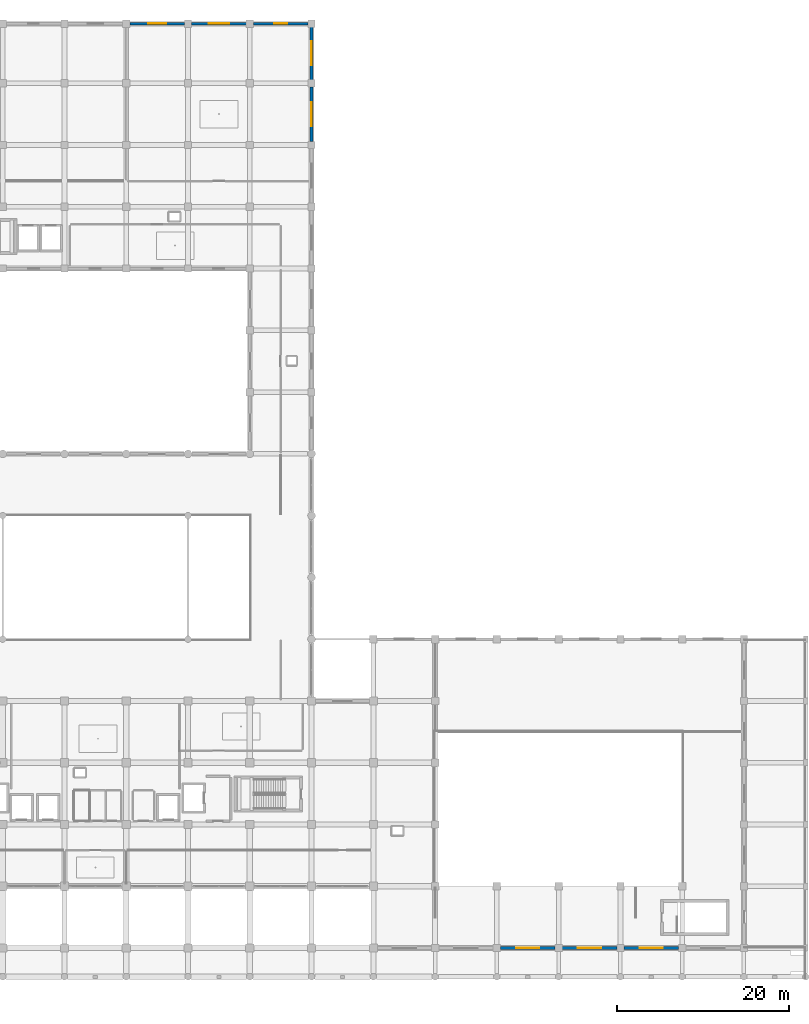
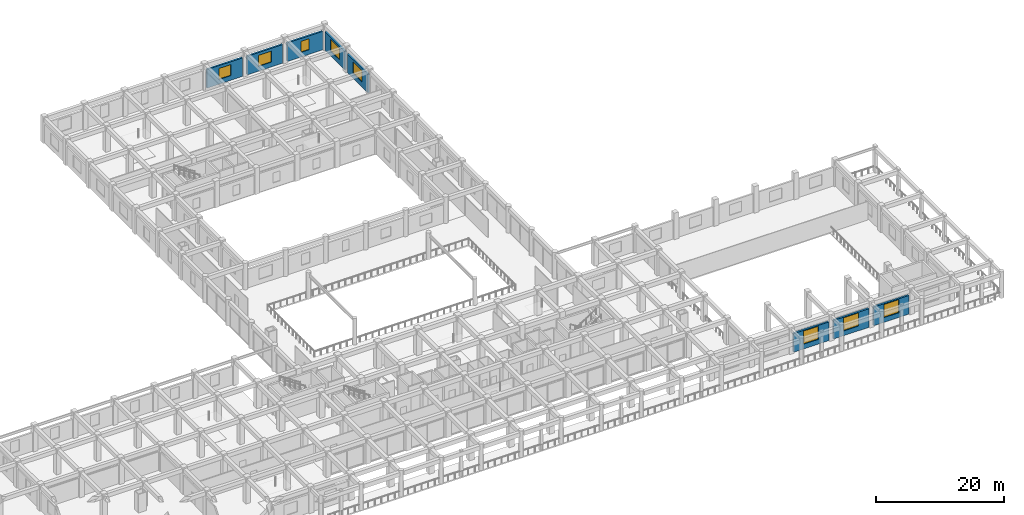
# One storey, part 35 of 54: 8 walls, 8 windows, 8 openings.
"""IFC4 building model written with IfcOpenShell, lengths in metres."""

from ifc_helpers import new_model, si_unit, direction, frame, frame_2d, origin, place, context, subcontext, project, spatial, rectangle, extrude, material, layer, layer_set, type_object, element, fill, save


model = new_model("IFC4")

# Units and contexts
model_context = context("Model", 3, precision=1e-05, world=origin(), true_north=direction((0.0, 1.0)))
body_context = subcontext(model_context, "Body", "Model", "MODEL_VIEW")
ifc_project = project(units=[si_unit("LENGTHUNIT", "METRE"), si_unit("AREAUNIT", "SQUARE_METRE"), si_unit("VOLUMEUNIT", "CUBIC_METRE"), si_unit("PLANEANGLEUNIT", "RADIAN"), si_unit("MASSUNIT", "GRAM", prefix="KILO")], contexts=[model_context])

# Site, building, storey
site_placement = place(None, origin())
site = spatial("IfcSite", under=ifc_project, at=site_placement, CompositionType="ELEMENT")
building_placement = place(site_placement, origin())
building = spatial("IfcBuilding", under=site, at=building_placement, Name="Kazehaya Institute of Natural Sciences", CompositionType="ELEMENT")
storey_placement = place(building_placement, frame((0.0, 0.0, 5.39990234375)))
storey = spatial("IfcBuildingStorey", under=building, at=storey_placement, Name="L01", CompositionType="ELEMENT", Elevation=5.39990234375)

# Wall, opening, window
ifc_material_1 = material(Name="Precast concrete Fc36", Category="concrete")
ifc_layer_1 = layer(ifc_material_1, 0.320068359375, Name="Precast concrete Fc36", Category="concrete")
ifc_layer_set_1 = layer_set([ifc_layer_1], Name="Precast concrete Fc36")
wall_type_1 = type_object("IfcWallType", Name="WL-EXT-320", PredefinedType="SOLIDWALL", material=ifc_layer_set_1)
wall_1_placement = place(storey_placement, frame((112.199951171875, 107.18994140625, 0.0), z_axis=(0.0, 0.0, 1.0), x_axis=(0.0, -1.0, 0.0)))
wall_1 = element("IfcWall", 1, at=wall_1_placement, inside=storey, type_object=wall_type_1, Name="L01 exterior wall EW-L01-0178", PredefinedType="SOLIDWALL", context=body_context, shape_type="SweptSolid", body=[
    extrude(rectangle(XDim=6.3798828125, YDim=0.320068359375, at=frame_2d((3.18994140625, 0.0))), origin(), (0.0, 0.0, 1.0), 3.5400390625),
])
opening_1_placement = place(wall_1_placement, frame((1.7900390625, 0.0, 0.89990234375)))
opening_1 = element("IfcOpeningElement", 2, at=opening_1_placement, cuts=wall_1, Name="Opening W25", PredefinedType="OPENING", context=body_context, shape_type="SweptSolid", body=[
    extrude(rectangle(XDim=2.800048828125, YDim=2.199951171875, at=frame_2d((1.39990234375, 1.10009765625))), frame((0.0, 0.169921875, 0.0), z_axis=(0.0, -1.0, 0.0), x_axis=(1.0, 0.0, 0.0)), (0.0, 0.0, 1.0), 0.340087890625),
])
ifc_material_2 = material(Name="Low-E double-glazed aluminium window", Category="aluminium")
window_type_1 = type_object("IfcWindowType", Name="WN-25", PartitioningType="DOUBLE_PANEL_VERTICAL", PredefinedType="WINDOW", material=ifc_material_2)
window_1_placement = place(opening_1_placement, origin())
window_1 = element("IfcWindow", 3, at=window_1_placement, inside=storey, type_object=window_type_1, Name="L01 facade window 0080", OverallHeight=2.199951171875, OverallWidth=2.800048828125, PartitioningType="DOUBLE_PANEL_VERTICAL", PredefinedType="WINDOW", context=body_context, shape_type="SweptSolid", body=[
    extrude(rectangle(XDim=2.800048828125, YDim=2.199951171875, at=frame_2d((1.39990234375, 1.10009765625))), frame((0.0, 0.030029296875, 0.0), z_axis=(0.0, -1.0, 0.0), x_axis=(1.0, 0.0, 0.0)), (0.0, 0.0, 1.0), 0.06005859375),
])
fill(opening_1, window_1)

wall_2_placement = place(storey_placement, frame((112.199951171875, 114.139892578125, 0.0), z_axis=(0.0, 0.0, 1.0), x_axis=(0.0, -1.0, 0.0)))
wall_2 = element("IfcWall", 4, at=wall_2_placement, inside=storey, type_object=wall_type_1, Name="L01 exterior wall EW-L01-0180", PredefinedType="SOLIDWALL", context=body_context, shape_type="SweptSolid", body=[
    extrude(rectangle(XDim=6.1298828125, YDim=0.320068359375, at=frame_2d((3.06494140625, 0.0))), origin(), (0.0, 0.0, 1.0), 3.5400390625),
])
opening_2_placement = place(wall_2_placement, frame((1.6650390625, 0.0, 0.89990234375)))
opening_2 = element("IfcOpeningElement", 5, at=opening_2_placement, cuts=wall_2, Name="Opening W25", PredefinedType="OPENING", context=body_context, shape_type="SweptSolid", body=[
    extrude(rectangle(XDim=2.800048828125, YDim=2.199951171875, at=frame_2d((1.39990234375, 1.10009765625))), frame((0.0, 0.169921875, 0.0), z_axis=(0.0, -1.0, 0.0), x_axis=(1.0, 0.0, 0.0)), (0.0, 0.0, 1.0), 0.340087890625),
])
window_2_placement = place(opening_2_placement, origin())
window_2 = element("IfcWindow", 6, at=window_2_placement, inside=storey, type_object=window_type_1, Name="L01 facade window 0082", OverallHeight=2.199951171875, OverallWidth=2.800048828125, PartitioningType="DOUBLE_PANEL_VERTICAL", PredefinedType="WINDOW", context=body_context, shape_type="SweptSolid", body=[
    extrude(rectangle(XDim=2.800048828125, YDim=2.199951171875, at=frame_2d((1.39990234375, 1.10009765625))), frame((0.0, 0.030029296875, 0.0), z_axis=(0.0, -1.0, 0.0), x_axis=(1.0, 0.0, 0.0)), (0.0, 0.0, 1.0), 0.06005859375),
])
fill(opening_2, window_2)

wall_3_placement = place(storey_placement, frame((91.010009765625, 114.550048828125, 0.0), z_axis=(0.0, 0.0, 1.0), x_axis=(1.0, 0.0, 0.0)))
wall_3 = element("IfcWall", 7, at=wall_3_placement, inside=storey, type_object=wall_type_1, Name="L01 exterior wall EW-L01-0185", PredefinedType="SOLIDWALL", context=body_context, shape_type="SweptSolid", body=[
    extrude(rectangle(XDim=6.3798828125, YDim=0.320068359375, at=frame_2d((3.18994140625, 0.0))), origin(), (0.0, 0.0, 1.0), 3.5400390625),
])
opening_3_placement = place(wall_3_placement, frame((2.139892578125, 0.0, 0.89990234375)))
opening_3 = element("IfcOpeningElement", 8, at=opening_3_placement, cuts=wall_3, Name="Opening W07", PredefinedType="OPENING", context=body_context, shape_type="SweptSolid", body=[
    extrude(rectangle(XDim=2.10009765625, YDim=2.10009765625, at=frame_2d((1.050048828125, 1.050048828125))), frame((0.0, 0.169921875, 0.0), z_axis=(0.0, -1.0, 0.0), x_axis=(1.0, 0.0, 0.0)), (0.0, 0.0, 1.0), 0.340087890625),
])
window_type_2 = type_object("IfcWindowType", Name="WN-07", PartitioningType="DOUBLE_PANEL_VERTICAL", PredefinedType="WINDOW", material=ifc_material_2)
window_3_placement = place(opening_3_placement, origin())
window_3 = element("IfcWindow", 9, at=window_3_placement, inside=storey, type_object=window_type_2, Name="L01 facade window 0087", OverallHeight=2.10009765625, OverallWidth=2.10009765625, PartitioningType="DOUBLE_PANEL_VERTICAL", PredefinedType="WINDOW", context=body_context, shape_type="SweptSolid", body=[
    extrude(rectangle(XDim=2.10009765625, YDim=2.10009765625, at=frame_2d((1.050048828125, 1.050048828125))), frame((0.0, 0.030029296875, 0.0), z_axis=(0.0, -1.0, 0.0), x_axis=(1.0, 0.0, 0.0)), (0.0, 0.0, 1.0), 0.06005859375),
])
fill(opening_3, window_3)

wall_4_placement = place(storey_placement, frame((98.2099609375, 114.550048828125, 0.0), z_axis=(0.0, 0.0, 1.0), x_axis=(1.0, 0.0, 0.0)))
wall_4 = element("IfcWall", 10, at=wall_4_placement, inside=storey, type_object=wall_type_1, Name="L01 exterior wall EW-L01-0186", PredefinedType="SOLIDWALL", context=body_context, shape_type="SweptSolid", body=[
    extrude(rectangle(XDim=6.380126953125, YDim=0.320068359375, at=frame_2d((3.18994140625, 0.0))), origin(), (0.0, 0.0, 1.0), 3.5400390625),
])
opening_4_placement = place(wall_4_placement, frame((1.989990234375, 0.0, 0.89990234375)))
opening_4 = element("IfcOpeningElement", 11, at=opening_4_placement, cuts=wall_4, Name="Opening W08", PredefinedType="OPENING", context=body_context, shape_type="SweptSolid", body=[
    extrude(rectangle(XDim=2.39990234375, YDim=2.10009765625, at=frame_2d((1.199951171875, 1.050048828125))), frame((0.0, 0.169921875, 0.0), z_axis=(0.0, -1.0, 0.0), x_axis=(1.0, 0.0, 0.0)), (0.0, 0.0, 1.0), 0.340087890625),
])
window_type_3 = type_object("IfcWindowType", Name="WN-08", PartitioningType="DOUBLE_PANEL_VERTICAL", PredefinedType="WINDOW", material=ifc_material_2)
window_4_placement = place(opening_4_placement, origin())
window_4 = element("IfcWindow", 12, at=window_4_placement, inside=storey, type_object=window_type_3, Name="L01 facade window 0088", OverallHeight=2.10009765625, OverallWidth=2.39990234375, PartitioningType="DOUBLE_PANEL_VERTICAL", PredefinedType="WINDOW", context=body_context, shape_type="SweptSolid", body=[
    extrude(rectangle(XDim=2.39990234375, YDim=2.10009765625, at=frame_2d((1.199951171875, 1.050048828125))), frame((0.0, 0.030029296875, 0.0), z_axis=(0.0, -1.0, 0.0), x_axis=(1.0, 0.0, 0.0)), (0.0, 0.0, 1.0), 0.06005859375),
])
fill(opening_4, window_4)

wall_5_placement = place(storey_placement, frame((105.409912109375, 114.550048828125, 0.0), z_axis=(0.0, 0.0, 1.0), x_axis=(1.0, 0.0, 0.0)))
wall_5 = element("IfcWall", 13, at=wall_5_placement, inside=storey, type_object=wall_type_1, Name="L01 exterior wall EW-L01-0187", PredefinedType="SOLIDWALL", context=body_context, shape_type="SweptSolid", body=[
    extrude(rectangle(XDim=6.380126953125, YDim=0.320068359375, at=frame_2d((3.18994140625, 0.0))), origin(), (0.0, 0.0, 1.0), 3.5400390625),
])
opening_5_placement = place(wall_5_placement, frame((2.43994140625, 0.0, 0.89990234375)))
opening_5 = element("IfcOpeningElement", 14, at=opening_5_placement, cuts=wall_5, Name="Opening W09", PredefinedType="OPENING", context=body_context, shape_type="SweptSolid", body=[
    extrude(rectangle(XDim=1.5, YDim=2.10009765625, at=frame_2d((0.75, 1.050048828125))), frame((0.0, 0.169921875, 0.0), z_axis=(0.0, -1.0, 0.0), x_axis=(1.0, 0.0, 0.0)), (0.0, 0.0, 1.0), 0.340087890625),
])
window_type_4 = type_object("IfcWindowType", Name="WN-09", PartitioningType="SINGLE_PANEL", PredefinedType="WINDOW", material=ifc_material_2)
window_5_placement = place(opening_5_placement, origin())
window_5 = element("IfcWindow", 15, at=window_5_placement, inside=storey, type_object=window_type_4, Name="L01 facade window 0089", OverallHeight=2.10009765625, OverallWidth=1.5, PartitioningType="SINGLE_PANEL", PredefinedType="WINDOW", context=body_context, shape_type="SweptSolid", body=[
    extrude(rectangle(XDim=1.5, YDim=2.10009765625, at=frame_2d((0.75, 1.050048828125))), frame((0.0, 0.030029296875, 0.0), z_axis=(0.0, -1.0, 0.0), x_axis=(1.0, 0.0, 0.0)), (0.0, 0.0, 1.0), 0.06005859375),
])
fill(opening_5, window_5)

ifc_layer_2 = layer(ifc_material_1, 0.340087890625, Name="Precast concrete Fc36", Category="concrete")
ifc_layer_set_2 = layer_set([ifc_layer_2], Name="Precast concrete Fc36")
wall_type_2 = type_object("IfcWallType", Name="WL-EXT-340", PredefinedType="SOLIDWALL", material=ifc_layer_set_2)
wall_6_placement = place(storey_placement, frame((154.989990234375, 6.800048828125, 0.0), z_axis=(0.0, 0.0, 1.0), x_axis=(-1.0, 0.0, 0.0)))
wall_6 = element("IfcWall", 16, at=wall_6_placement, inside=storey, type_object=wall_type_2, Name="L01 exterior wall EW-L01-0369", PredefinedType="SOLIDWALL", context=body_context, shape_type="SweptSolid", body=[
    extrude(rectangle(XDim=6.3798828125, YDim=0.340087890625, at=frame_2d((3.18994140625, 0.0))), origin(), (0.0, 0.0, 1.0), 3.5400390625),
])
opening_6_placement = place(wall_6_placement, frame((1.840087890625, 0.0, 0.89990234375)))
opening_6 = element("IfcOpeningElement", 17, at=opening_6_placement, cuts=wall_6, Name="Opening W16", PredefinedType="OPENING", context=body_context, shape_type="SweptSolid", body=[
    extrude(rectangle(XDim=2.699951171875, YDim=2.5, at=frame_2d((1.35009765625, 1.25))), frame((0.0, 0.179931640625, 0.0), z_axis=(0.0, -1.0, 0.0), x_axis=(1.0, 0.0, 0.0)), (0.0, 0.0, 1.0), 0.360107421875),
])
window_type_5 = type_object("IfcWindowType", Name="WN-16", PartitioningType="DOUBLE_PANEL_VERTICAL", PredefinedType="WINDOW", material=ifc_material_2)
window_6_placement = place(opening_6_placement, origin())
window_6 = element("IfcWindow", 18, at=window_6_placement, inside=storey, type_object=window_type_5, Name="L01 facade window 0229", OverallHeight=2.5, OverallWidth=2.699951171875, PartitioningType="DOUBLE_PANEL_VERTICAL", PredefinedType="WINDOW", context=body_context, shape_type="SweptSolid", body=[
    extrude(rectangle(XDim=2.699951171875, YDim=2.5, at=frame_2d((1.35009765625, 1.25))), frame((0.0, 0.030029296875, 0.0), z_axis=(0.0, -1.0, 0.0), x_axis=(1.0, 0.0, 0.0)), (0.0, 0.0, 1.0), 0.06005859375),
])
fill(opening_6, window_6)

wall_7_placement = place(storey_placement, frame((147.7900390625, 6.800048828125, 0.0), z_axis=(0.0, 0.0, 1.0), x_axis=(-1.0, 0.0, 0.0)))
wall_7 = element("IfcWall", 19, at=wall_7_placement, inside=storey, type_object=wall_type_2, Name="L01 exterior wall EW-L01-0370", PredefinedType="SOLIDWALL", context=body_context, shape_type="SweptSolid", body=[
    extrude(rectangle(XDim=6.380126953125, YDim=0.340087890625, at=frame_2d((3.18994140625, 0.0))), origin(), (0.0, 0.0, 1.0), 3.5400390625),
])
opening_7_placement = place(wall_7_placement, frame((1.840087890625, 0.0, 0.89990234375)))
opening_7 = element("IfcOpeningElement", 20, at=opening_7_placement, cuts=wall_7, Name="Opening W16", PredefinedType="OPENING", context=body_context, shape_type="SweptSolid", body=[
    extrude(rectangle(XDim=2.699951171875, YDim=2.5, at=frame_2d((1.35009765625, 1.25))), frame((0.0, 0.179931640625, 0.0), z_axis=(0.0, -1.0, 0.0), x_axis=(1.0, 0.0, 0.0)), (0.0, 0.0, 1.0), 0.360107421875),
])
window_7_placement = place(opening_7_placement, origin())
window_7 = element("IfcWindow", 21, at=window_7_placement, inside=storey, type_object=window_type_5, Name="L01 facade window 0230", OverallHeight=2.5, OverallWidth=2.699951171875, PartitioningType="DOUBLE_PANEL_VERTICAL", PredefinedType="WINDOW", context=body_context, shape_type="SweptSolid", body=[
    extrude(rectangle(XDim=2.699951171875, YDim=2.5, at=frame_2d((1.35009765625, 1.25))), frame((0.0, 0.030029296875, 0.0), z_axis=(0.0, -1.0, 0.0), x_axis=(1.0, 0.0, 0.0)), (0.0, 0.0, 1.0), 0.06005859375),
])
fill(opening_7, window_7)

wall_8_placement = place(storey_placement, frame((140.590087890625, 6.800048828125, 0.0), z_axis=(0.0, 0.0, 1.0), x_axis=(-1.0, 0.0, 0.0)))
wall_8 = element("IfcWall", 22, at=wall_8_placement, inside=storey, type_object=wall_type_2, Name="L01 exterior wall EW-L01-0371", PredefinedType="SOLIDWALL", context=body_context, shape_type="SweptSolid", body=[
    extrude(rectangle(XDim=6.380126953125, YDim=0.340087890625, at=frame_2d((3.18994140625, 0.0))), origin(), (0.0, 0.0, 1.0), 3.5400390625),
])
opening_8_placement = place(wall_8_placement, frame((1.840087890625, 0.0, 0.89990234375)))
opening_8 = element("IfcOpeningElement", 23, at=opening_8_placement, cuts=wall_8, Name="Opening W16", PredefinedType="OPENING", context=body_context, shape_type="SweptSolid", body=[
    extrude(rectangle(XDim=2.699951171875, YDim=2.5, at=frame_2d((1.35009765625, 1.25))), frame((0.0, 0.179931640625, 0.0), z_axis=(0.0, -1.0, 0.0), x_axis=(1.0, 0.0, 0.0)), (0.0, 0.0, 1.0), 0.360107421875),
])
window_8_placement = place(opening_8_placement, origin())
window_8 = element("IfcWindow", 24, at=window_8_placement, inside=storey, type_object=window_type_5, Name="L01 facade window 0231", OverallHeight=2.5, OverallWidth=2.699951171875, PartitioningType="DOUBLE_PANEL_VERTICAL", PredefinedType="WINDOW", context=body_context, shape_type="SweptSolid", body=[
    extrude(rectangle(XDim=2.699951171875, YDim=2.5, at=frame_2d((1.35009765625, 1.25))), frame((0.0, 0.030029296875, 0.0), z_axis=(0.0, -1.0, 0.0), x_axis=(1.0, 0.0, 0.0)), (0.0, 0.0, 1.0), 0.06005859375),
])
fill(opening_8, window_8)

save(model, "model.ifc")
